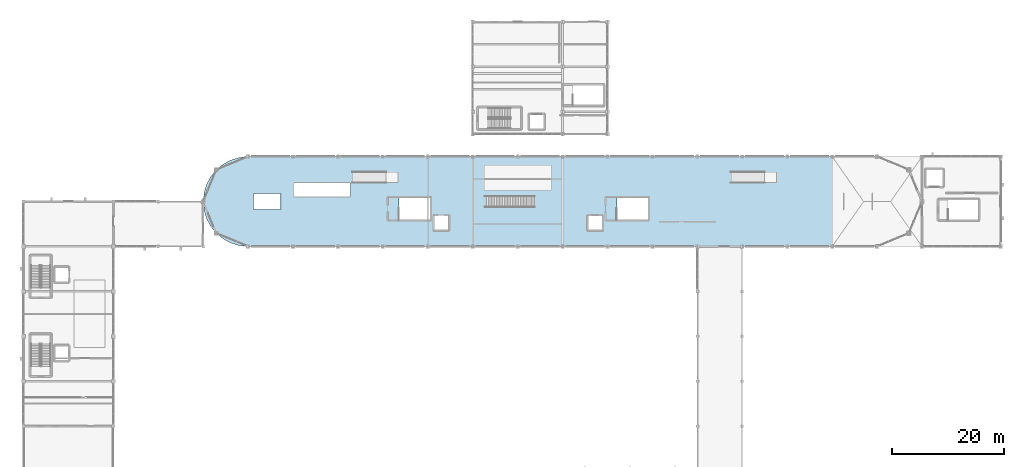
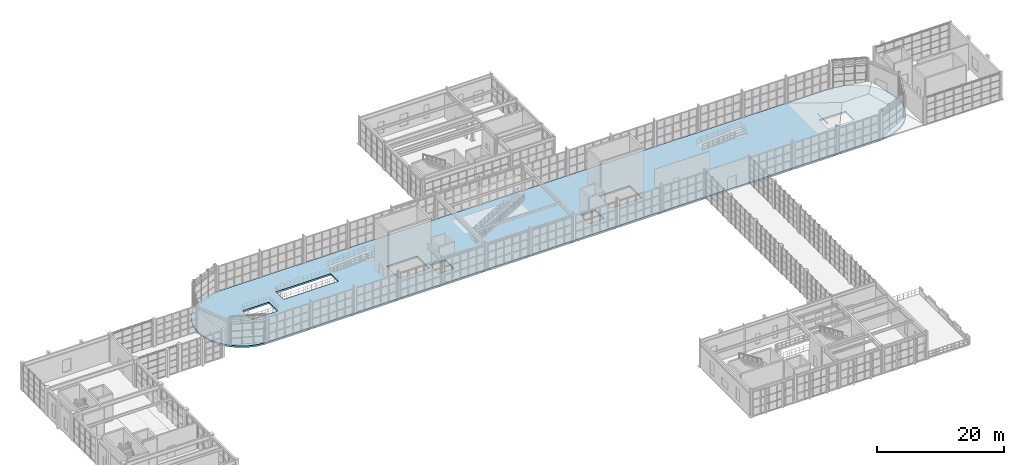
# One storey, part 57 of 82: 1 slab.
"""IFC4 building model written with IfcOpenShell, lengths in metres."""

from ifc_helpers import new_model, si_unit, direction, frame, origin, place, context, subcontext, project, spatial, polyline, outline, extrude, material, layer, layer_set, type_object, element, save


model = new_model("IFC4")

# Units and contexts
model_context = context("Model", 3, precision=1e-05, world=origin(), true_north=direction((0.0, 1.0)))
body_context = subcontext(model_context, "Body", "Model", "MODEL_VIEW")
ifc_project = project(units=[si_unit("LENGTHUNIT", "METRE"), si_unit("AREAUNIT", "SQUARE_METRE"), si_unit("VOLUMEUNIT", "CUBIC_METRE"), si_unit("PLANEANGLEUNIT", "RADIAN"), si_unit("MASSUNIT", "GRAM", prefix="KILO")], contexts=[model_context])

# Site, building, storey
site_placement = place(None, origin())
site = spatial("IfcSite", under=ifc_project, at=site_placement, CompositionType="ELEMENT")
building_placement = place(site_placement, origin())
building = spatial("IfcBuilding", under=site, at=building_placement, Name="Serraluz Foothill Cableway Terminal", CompositionType="ELEMENT")
storey_placement = place(building_placement, frame((0.0, 0.0, 9.60009765625)))
storey = spatial("IfcBuildingStorey", under=building, at=storey_placement, Name="L02", CompositionType="ELEMENT", Elevation=9.60009765625)

# Slab
ifc_material = material(Name="Concrete C35/45 (f'c 35 MPa)", Category="concrete")
ifc_layer = layer(ifc_material, 0.324951171875, Name="Concrete C35/45 (f'c 35 MPa)", Category="concrete")
ifc_layer_set = layer_set([ifc_layer], Name="Concrete C35/45 (f'c 35 MPa)")
slab_type = type_object("IfcSlabType", Name="TYP-SLB-FLR-325", PredefinedType="FLOOR", material=ifc_layer_set)
slab_placement = place(storey_placement, frame((0.0, 0.0, -0.3251953125)))
element("IfcSlab", 1, at=slab_placement, inside=storey, type_object=slab_type, Name="Structural Slab SLB-L02-V1", PredefinedType="FLOOR", context=body_context, shape_type="SweptSolid", body=[
    extrude(outline(polyline([(40.0, 56.0), (152.0, 56.0), (153.560791015625, 56.15380859375), (155.0615234375, 56.60888671875), (156.444580078125, 57.34814453125), (157.656982421875, 58.343017578125), (158.65185546875, 59.555419921875), (159.39111328125, 60.9384765625), (159.84619140625, 62.439208984375), (160.0, 64.0), (159.84619140625, 65.560791015625), (159.39111328125, 67.0615234375), (158.65185546875, 68.444580078125), (157.656982421875, 69.656982421875), (156.444580078125, 70.65185546875), (155.0615234375, 71.39111328125), (153.560791015625, 71.84619140625), (152.0, 72.0), (40.0, 72.0), (38.439208984375, 71.84619140625), (36.9384765625, 71.39111328125), (35.555419921875, 70.65185546875), (34.343017578125, 69.656982421875), (33.34814453125, 68.444580078125), (32.60888671875, 67.0615234375), (32.15380859375, 65.560791015625), (32.0, 64.0), (32.15380859375, 62.439208984375), (32.60888671875, 60.9384765625), (33.34814453125, 59.555419921875), (34.343017578125, 58.343017578125), (35.555419921875, 57.34814453125), (36.9384765625, 56.60888671875), (38.439208984375, 56.15380859375), (40.0, 56.0)]), holes=[polyline([(66.860107421875, 60.800048828125), (72.425048828125, 60.800048828125), (72.425048828125, 64.679931640625), (66.860107421875, 64.679931640625), (66.860107421875, 60.800048828125)]), polyline([(105.659912109375, 60.800048828125), (111.22509765625, 60.800048828125), (111.22509765625, 64.679931640625), (105.659912109375, 64.679931640625), (105.659912109375, 60.800048828125)]), polyline([(73.0, 58.800048828125), (75.800048828125, 58.800048828125), (75.800048828125, 61.60009765625), (73.0, 61.60009765625), (73.0, 58.800048828125)]), polyline([(100.39990234375, 58.800048828125), (103.199951171875, 58.800048828125), (103.199951171875, 61.60009765625), (100.39990234375, 61.60009765625), (100.39990234375, 58.800048828125)]), polyline([(48.199951171875, 64.89990234375), (58.199951171875, 64.89990234375), (58.199951171875, 67.300048828125), (48.199951171875, 67.300048828125), (48.199951171875, 64.89990234375)]), polyline([(41.0, 62.60009765625), (45.800048828125, 62.60009765625), (45.800048828125, 65.39990234375), (41.0, 65.39990234375), (41.0, 62.60009765625)]), polyline([(146.199951171875, 62.60009765625), (151.0, 62.60009765625), (151.0, 65.39990234375), (146.199951171875, 65.39990234375), (146.199951171875, 62.60009765625)])]), origin(), (0.0, 0.0, 1.0), 0.3251953125),
])

save(model, "model.ifc")
